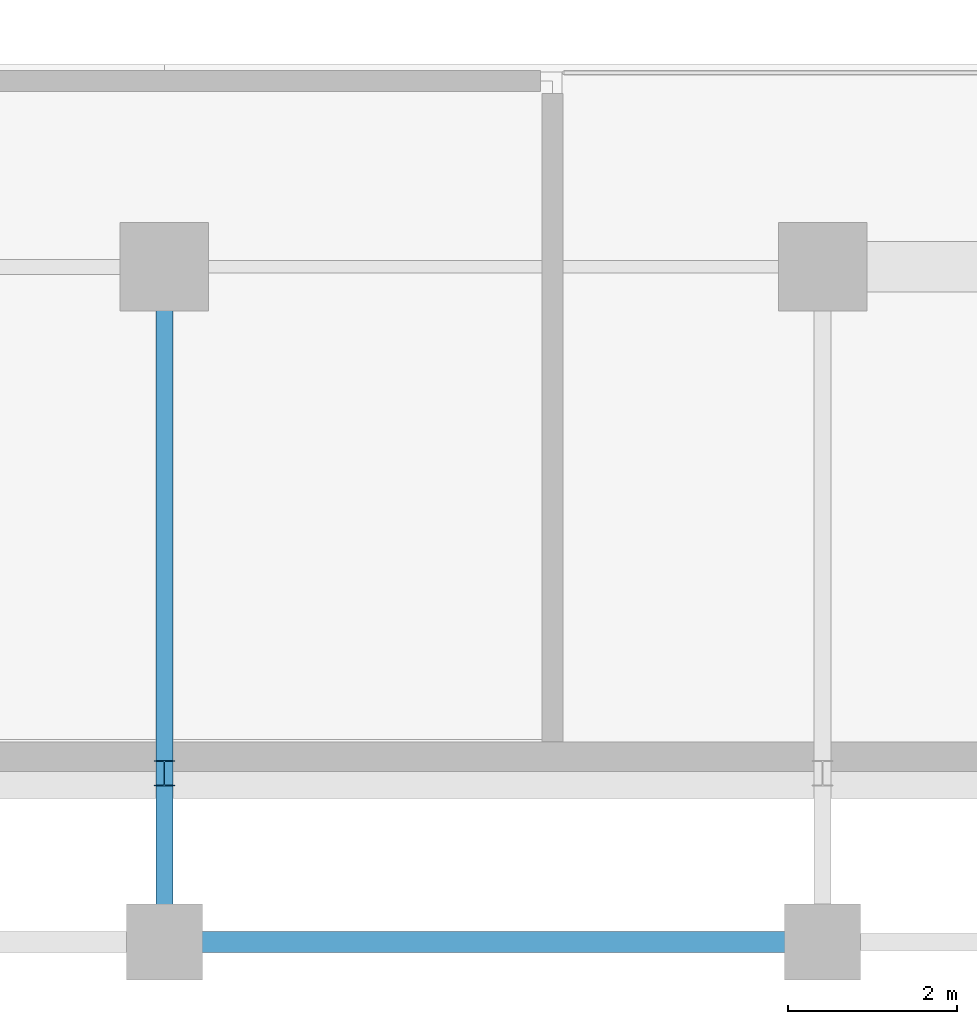
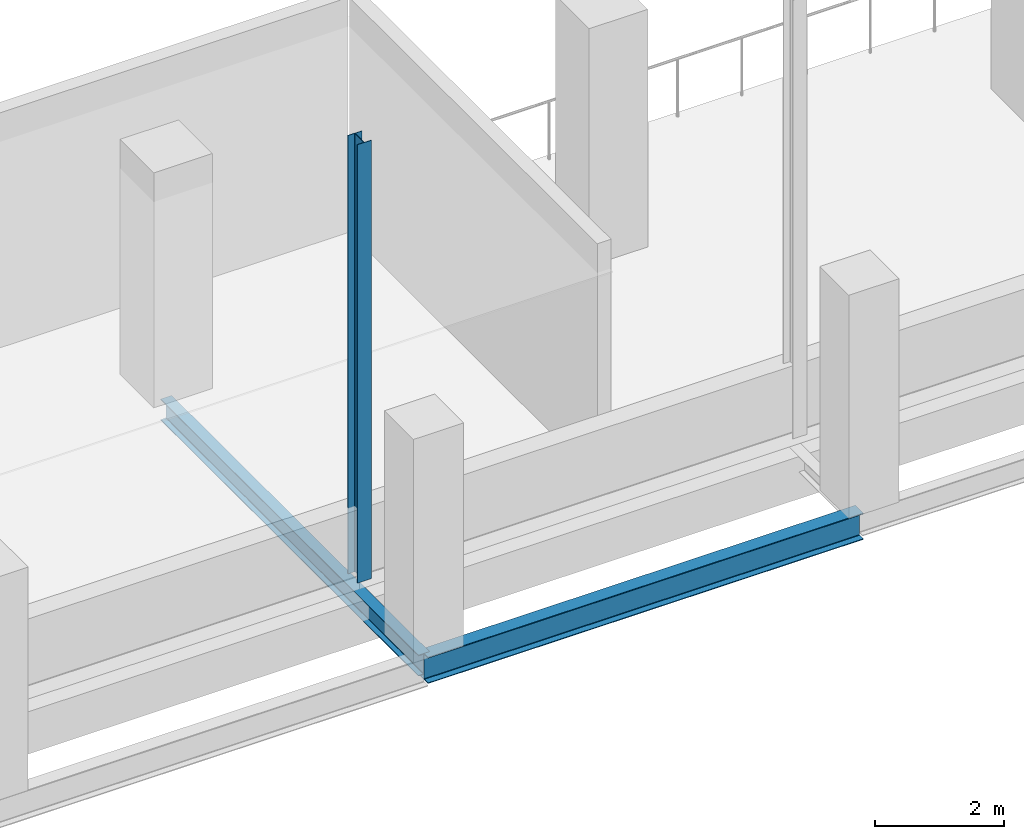
# One storey, part 31 of 85: 2 beams, 1 member.
"""IFC4 building model written with IfcOpenShell, lengths in metres."""

from ifc_helpers import new_model, si_unit, derived_unit, direction, frame, origin, origin_2d, place, context, subcontext, project, spatial, i_section, extrude, material, material_profile, profile_set, type_object, element, save


model = new_model("IFC4")

# Units and contexts
model_context = context("Model", 3, precision=1e-05, world=origin(), true_north=direction((0.0, 1.0)))
body_context = subcontext(model_context, "Body", "Model", "MODEL_VIEW")
ifc_project = project(units=[si_unit("LENGTHUNIT", "METRE"), si_unit("AREAUNIT", "SQUARE_METRE"), si_unit("VOLUMEUNIT", "CUBIC_METRE"), si_unit("PLANEANGLEUNIT", "RADIAN"), si_unit("MASSUNIT", "GRAM", prefix="KILO"), derived_unit("THERMALTRANSMITTANCEUNIT", [(si_unit("POWERUNIT", "WATT"), 1), (si_unit("LENGTHUNIT", "METRE"), -2), (si_unit("THERMODYNAMICTEMPERATUREUNIT", "KELVIN"), -1)])], contexts=[model_context])

# Site, building, storey
site_placement = place(None, origin())
site = spatial("IfcSite", under=ifc_project, at=site_placement, CompositionType="ELEMENT")
building_placement = place(site_placement, origin())
building = spatial("IfcBuilding", under=site, at=building_placement, Name="Nallur Shell Playhouse", CompositionType="ELEMENT")
storey_placement = place(building_placement, frame((0.0, 0.0, 19.800048828125)))
storey = spatial("IfcBuildingStorey", under=building, at=storey_placement, Name="L05", CompositionType="ELEMENT", Elevation=19.800048828125)

# Beams
ifc_material = material(Name="Steel E350", Category="steel")
ifc_material_profile_1 = material_profile(ifc_material, i_section(OverallWidth=0.199951171875, OverallDepth=0.39990234375, WebThickness=0.008544921875, FlangeThickness=0.012939453125, FilletRadius=0.012939453125, at=origin_2d()), Name="ISWB 400")
ifc_profile_set_1 = profile_set([ifc_material_profile_1], Name="Steel E350")
beam_type_1 = type_object("IfcBeamType", Name="BM-ST-ISWB400", PredefinedType="BEAM", material=ifc_profile_set_1)
beam_1_placement = place(storey_placement, frame((87.39990234375, 8.0, -0.449951171875), z_axis=(0.0, 1.0, 0.0), x_axis=(-1.0, 0.0, 0.0)))
element("IfcBeam", 1, at=beam_1_placement, inside=storey, type_object=beam_type_1, Name="L05 girder Y-11-1029", PredefinedType="BEAM", context=body_context, shape_type="SweptSolid", body=[
    extrude(i_section(OverallWidth=0.199951171875, OverallDepth=0.39990234375, WebThickness=0.008544921875, FlangeThickness=0.012939453125, FilletRadius=0.012939453125, at=origin_2d()), origin(), (0.0, 0.0, 1.0), 8.0),
])
ifc_material_profile_2 = material_profile(ifc_material, i_section(OverallWidth=0.25, OverallDepth=0.5, WebThickness=0.010009765625, FlangeThickness=0.0146484375, FilletRadius=0.014892578125, at=origin_2d()), Name="ISWB 500")
ifc_profile_set_2 = profile_set([ifc_material_profile_2], Name="Steel E350")
beam_type_2 = type_object("IfcBeamType", Name="BM-ST-ISWB500", PredefinedType="BEAM", material=ifc_profile_set_2)
beam_2_placement = place(storey_placement, frame((87.39990234375, 8.0, -0.5), z_axis=(1.0, 0.0, 0.0), x_axis=(0.0, 1.0, 0.0)))
element("IfcBeam", 2, at=beam_2_placement, inside=storey, type_object=beam_type_2, Name="L05 girder X-A-931", PredefinedType="BEAM", context=body_context, shape_type="SweptSolid", body=[
    extrude(i_section(OverallWidth=0.25, OverallDepth=0.5, WebThickness=0.010009765625, FlangeThickness=0.0146484375, FilletRadius=0.014892578125, at=origin_2d()), origin(), (0.0, 0.0, 1.0), 7.800048828125),
])

# Member
ifc_material_profile_3 = material_profile(ifc_material, i_section(OverallWidth=0.25, OverallDepth=0.300048828125, WebThickness=0.009521484375, FlangeThickness=0.010498046875, FilletRadius=0.010986328125, at=origin_2d()), Name="ISHB 300")
ifc_profile_set_3 = profile_set([ifc_material_profile_3], Name="Steel E350")
member_type = type_object("IfcMemberType", Name="MB-FASCIA-POST", PredefinedType="POST", material=ifc_profile_set_3)
member_placement = place(storey_placement, frame((87.39990234375, 10.0, 0.0), z_axis=(0.0, 0.0, 1.0), x_axis=(1.0, 0.0, 0.0)))
element("IfcMember", 3, at=member_placement, inside=storey, type_object=member_type, Name="Cantilever truss fascia post POST-GB-L05-04", PredefinedType="POST", context=body_context, shape_type="SweptSolid", body=[
    extrude(i_section(OverallWidth=0.25, OverallDepth=0.300048828125, WebThickness=0.009521484375, FlangeThickness=0.010498046875, FilletRadius=0.010986328125, at=origin_2d()), origin(), (0.0, 0.0, 1.0), 8.302490234375),
])

save(model, "model.ifc")
